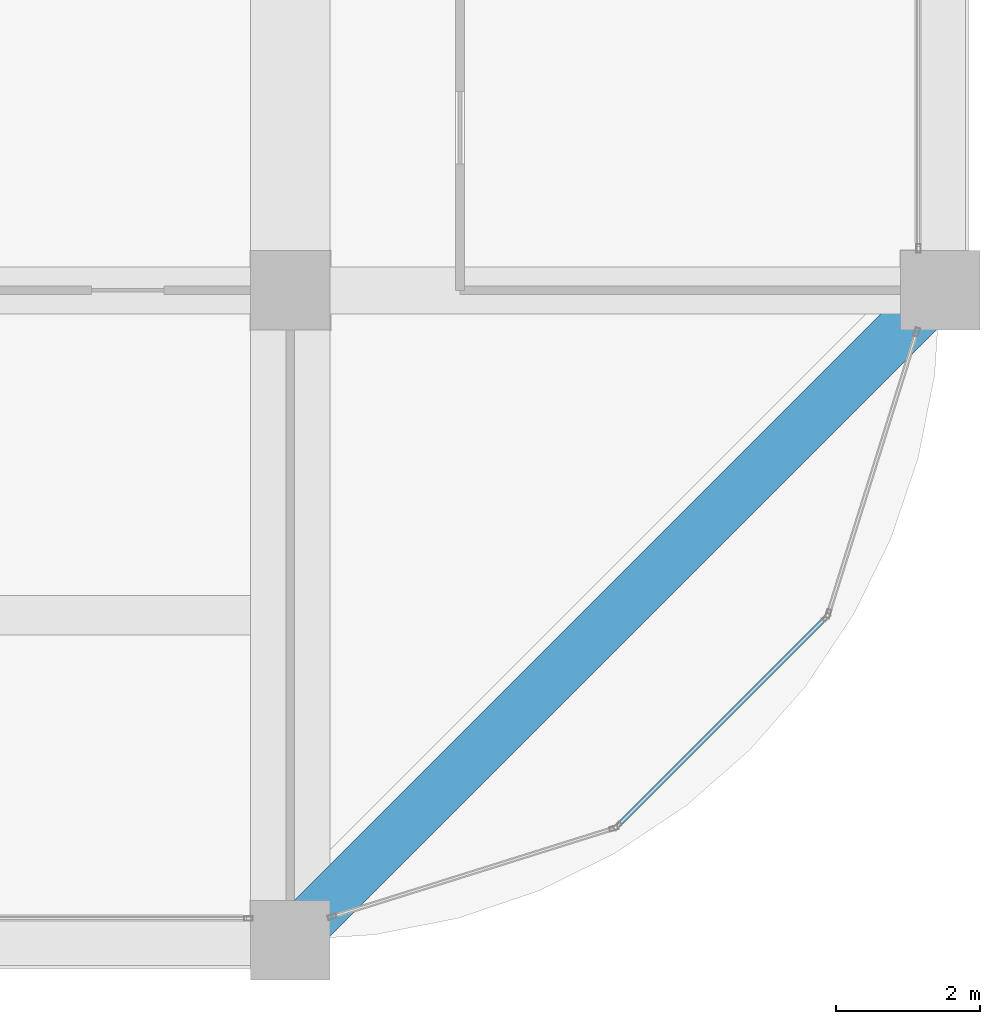
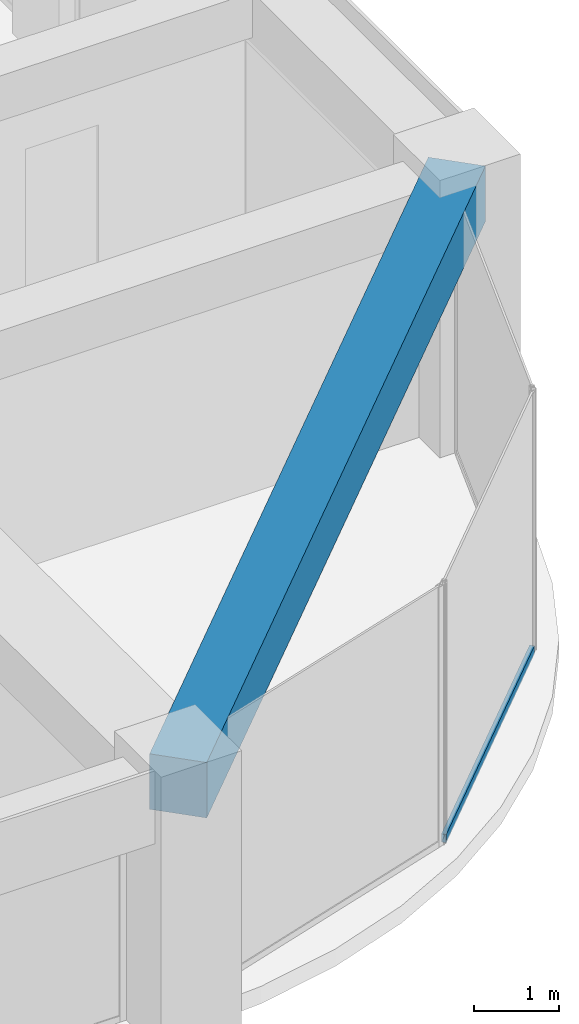
# One storey, part 19 of 45: 1 beam, 1 member, 1 element without a shape of its own.
"""IFC4 building model written with IfcOpenShell, lengths in metres."""

from ifc_helpers import new_model, si_unit, direction, frame, origin, origin_2d, place, context, subcontext, project, spatial, rectangle, hollow_rectangle, extrude, material, material_profile, profile_set, type_object, element, aggregate, save


model = new_model("IFC4")

# Units and contexts
model_context = context("Model", 3, precision=1e-05, world=origin(), true_north=direction((0.0, 1.0)))
body_context = subcontext(model_context, "Body", "Model", "MODEL_VIEW")
ifc_project = project(units=[si_unit("LENGTHUNIT", "METRE"), si_unit("AREAUNIT", "SQUARE_METRE"), si_unit("VOLUMEUNIT", "CUBIC_METRE"), si_unit("PLANEANGLEUNIT", "RADIAN"), si_unit("MASSUNIT", "GRAM", prefix="KILO")], contexts=[model_context])

# Site, building, storey
site_placement = place(None, origin())
site = spatial("IfcSite", under=ifc_project, at=site_placement, CompositionType="ELEMENT")
building_placement = place(site_placement, origin())
building = spatial("IfcBuilding", under=site, at=building_placement, Name="Zorevar Civic Tower", CompositionType="ELEMENT")
storey_placement = place(building_placement, frame((0.0, 0.0, 303.39990234375)))
storey = spatial("IfcBuildingStorey", under=building, at=storey_placement, Name="L74", CompositionType="ELEMENT", Elevation=303.39990234375)

# Curtain wall, member
ifc_material_1 = material(Name="Dark grey solar-control glass in black aluminium frame", Category="aluminium")
curtain_wall_type = type_object("IfcCurtainWallType", Name="Curtain wall CW5 top zone", PredefinedType="NOTDEFINED", material=ifc_material_1)
curtain_wall_placement = place(storey_placement, origin())
curtain_wall = element("IfcCurtainWall", 1, at=curtain_wall_placement, inside=storey, type_object=curtain_wall_type, Name="CW5 L74", PredefinedType="NOTDEFINED")
ifc_material_2 = material(Name="Aluminium, black anodised", Category="aluminium")
ifc_material_profile_1 = material_profile(ifc_material_2, hollow_rectangle(XDim=0.06005859375, YDim=0.1201171875, WallThickness=0.0029296875, at=origin_2d()), Name="AL 120x60x3")
ifc_profile_set_1 = profile_set([ifc_material_profile_1], Name="Aluminium, black anodised")
member_type = type_object("IfcMemberType", Name="CW5 transom AL 120x60x3", PredefinedType="USERDEFINED", material=ifc_profile_set_1)
member_placement = place(storey_placement, frame((49.55029296875, 1.6015625, 0.030029296875), z_axis=(0.707106781187, 0.707106781187, 0.0), x_axis=(-0.707106781187, 0.707106781187, 0.0)))
member = element("IfcMember", 2, at=member_placement, type_object=member_type, Name="CW5 sill transom", ObjectType="TRANSOM", PredefinedType="USERDEFINED", context=body_context, shape_type="SweptSolid", body=[
    extrude(hollow_rectangle(XDim=0.06005859375, YDim=0.1201171875, WallThickness=0.0029296875, at=origin_2d()), origin(), (0.0, 0.0, 1.0), 4.02783203125),
])
aggregate(curtain_wall, [member])

# Beam
ifc_material_3 = material(Name="Concrete C50/60", Category="concrete")
ifc_material_profile_2 = material_profile(ifc_material_3, rectangle(XDim=0.699951171875, YDim=0.800048828125, at=origin_2d()), Name="RC 700x800")
ifc_profile_set_2 = profile_set([ifc_material_profile_2], Name="Concrete C50/60")
beam_type = type_object("IfcBeamType", Name="Edge beam RC 700x800", PredefinedType="SPANDREL", material=ifc_profile_set_2)
beam_placement = place(storey_placement, frame((45.0, 0.0, 3.35009765625), z_axis=(0.707106781187, 0.707106781187, 0.0), x_axis=(-0.707106781187, 0.707106781187, 0.0)))
element("IfcBeam", 3, at=beam_placement, inside=storey, type_object=beam_type, Name="Corner edge beam L75", PredefinedType="SPANDREL", context=body_context, shape_type="SweptSolid", body=[
    extrude(rectangle(XDim=0.699951171875, YDim=0.800048828125, at=origin_2d()), origin(), (0.0, 0.0, 1.0), 12.72802734375),
])

save(model, "model.ifc")
